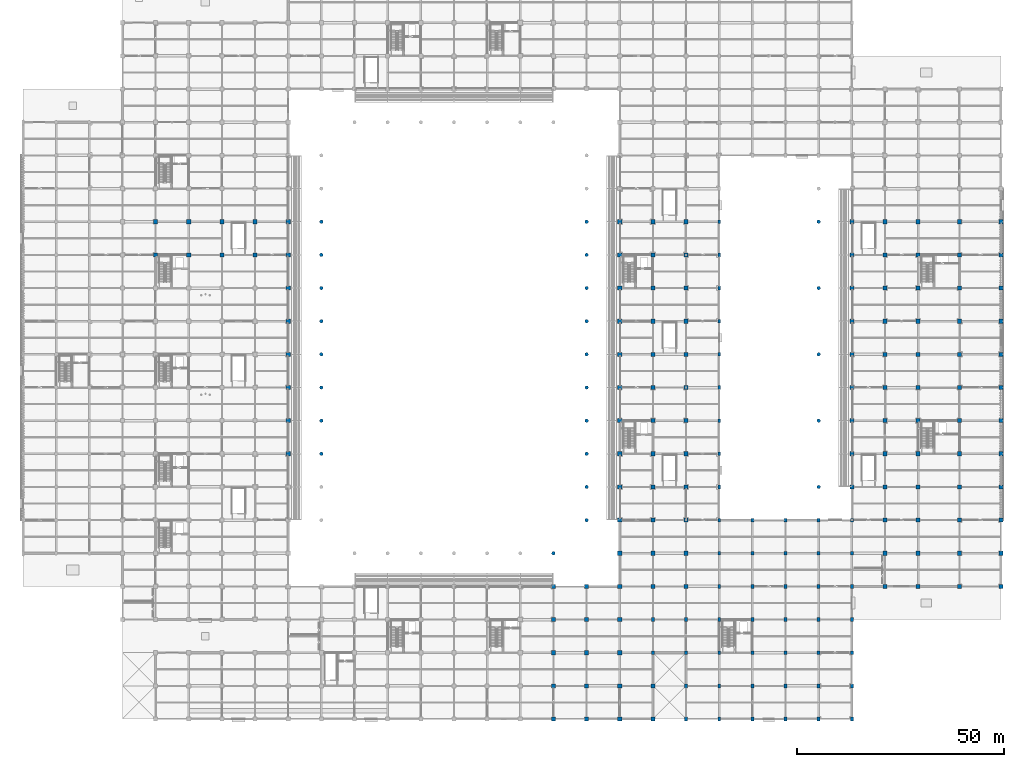
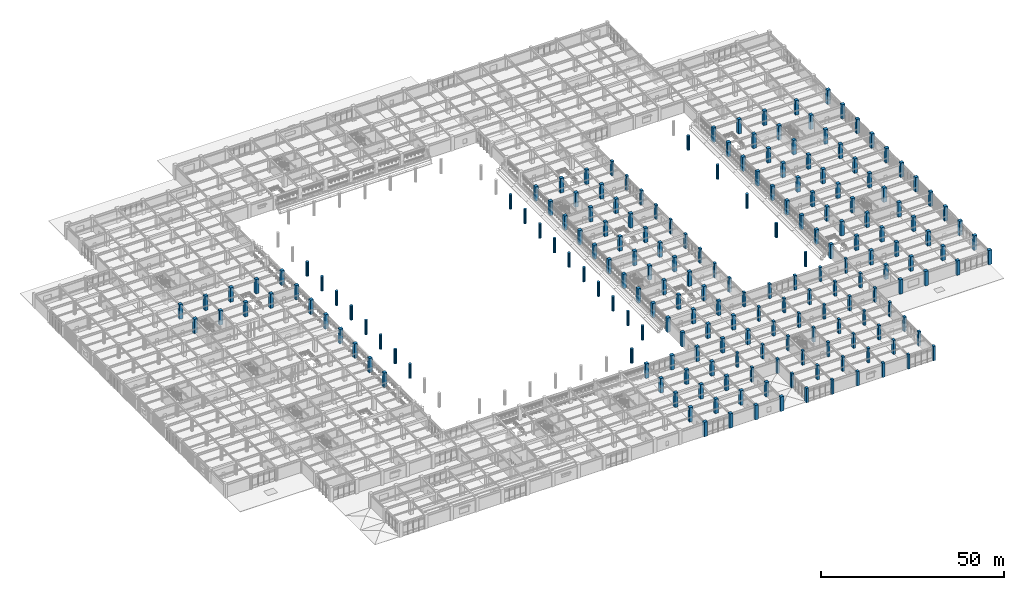
# One storey, part 5 of 117: 199 columns.
"""IFC4 building model written with IfcOpenShell, lengths in metres."""

from ifc_helpers import new_model, si_unit, direction, frame, origin, origin_2d, place, context, subcontext, project, spatial, rectangle, circle, extrude, material, material_profile, profile_set, type_object, element, save


model = new_model("IFC4")

# Units and contexts
model_context = context("Model", 3, precision=1e-05, world=origin(), true_north=direction((0.0, 1.0)))
body_context = subcontext(model_context, "Body", "Model", "MODEL_VIEW")
ifc_project = project(units=[si_unit("LENGTHUNIT", "METRE"), si_unit("AREAUNIT", "SQUARE_METRE"), si_unit("VOLUMEUNIT", "CUBIC_METRE"), si_unit("PLANEANGLEUNIT", "RADIAN"), si_unit("MASSUNIT", "GRAM", prefix="KILO")], contexts=[model_context])

# Site, building, storey
site_placement = place(None, origin())
site = spatial("IfcSite", under=ifc_project, at=site_placement, CompositionType="ELEMENT")
building_placement = place(site_placement, origin())
building = spatial("IfcBuilding", under=site, at=building_placement, Name="Haebicheon Civic Stadium", CompositionType="ELEMENT")
storey_placement = place(building_placement, frame((0.0, 0.0, 4.800048828125)))
storey = spatial("IfcBuildingStorey", under=building, at=storey_placement, Name="L02", CompositionType="ELEMENT", Elevation=4.800048828125)

# Columns
ifc_material_1 = material(Name="Concrete C40/50", Category="concrete")
ifc_material_profile_1 = material_profile(ifc_material_1, rectangle(XDim=1.0, YDim=1.0, at=origin_2d()), Name="RC-COL-1000x1000")
ifc_profile_set_1 = profile_set([ifc_material_profile_1], Name="Concrete C40/50")
column_type_1 = type_object("IfcColumnType", Name="COL-RC-1000", PredefinedType="COLUMN", material=ifc_profile_set_1)
for number, where, z_axis, x_axis, name in (
    (1, (32.0, 112.0, 0.0), (0.0, 0.0, 1.0), (1.0, 0.0, 0.0), "L02 column 5/Q"),
    (2, (32.0, 120.0, 0.0), (0.0, 0.0, 1.0), (1.0, 0.0, 0.0), "L02 column 5/R"),
    (3, (40.0, 112.0, 0.0), (0.0, 0.0, 1.0), (1.0, 0.0, 0.0), "L02 column 6/Q"),
    (4, (40.0, 120.0, 0.0), (0.0, 0.0, 1.0), (1.0, 0.0, 0.0), "L02 column 6/R"),
    (5, (48.0, 112.0, 0.0), (0.0, 0.0, 1.0), (1.0, 0.0, 0.0), "L02 column 7/Q"),
    (6, (48.0, 120.0, 0.0), (0.0, 0.0, 1.0), (1.0, 0.0, 0.0), "L02 column 7/R"),
    (7, (56.0, 112.0, 0.0), (0.0, 0.0, 1.0), (1.0, 0.0, 0.0), "L02 column 8/Q"),
    (8, (56.0, 120.0, 0.0), (0.0, 0.0, 1.0), (1.0, 0.0, 0.0), "L02 column 8/R"),
    (9, (64.0, 64.0, 0.0), (0.0, 0.0, 1.0), (1.0, 0.0, 0.0), "L02 column 9/J"),
    (10, (64.0, 72.0, 0.0), (0.0, 0.0, 1.0), (1.0, 0.0, 0.0), "L02 column 9/K"),
    (11, (64.0, 80.0, 0.0), (0.0, 0.0, 1.0), (1.0, 0.0, 0.0), "L02 column 9/L"),
    (12, (64.0, 88.0, 0.0), (0.0, 0.0, 1.0), (1.0, 0.0, 0.0), "L02 column 9/M"),
    (13, (64.0, 96.0, 0.0), (0.0, 0.0, 1.0), (1.0, 0.0, 0.0), "L02 column 9/N"),
    (14, (64.0, 104.0, 0.0), (0.0, 0.0, 1.0), (1.0, 0.0, 0.0), "L02 column 9/P"),
    (15, (64.0, 112.0, 0.0), (0.0, 0.0, 1.0), (1.0, 0.0, 0.0), "L02 column 9/Q"),
    (16, (64.0, 120.0, 0.0), (0.0, 0.0, 1.0), (1.0, 0.0, 0.0), "L02 column 9/R"),
    (17, (128.0, 0.0, 0.0), (0.0, 0.0, 1.0), (1.0, 0.0, 0.0), "L02 column 17/A"),
    (18, (128.0, 8.0, 0.0), (0.0, 0.0, 1.0), (1.0, 0.0, 0.0), "L02 column 17/B"),
    (19, (128.0, 16.0, 0.0), (0.0, 0.0, 1.0), (1.0, 0.0, 0.0), "L02 column 17/C"),
    (20, (128.0, 24.0, 0.0), (0.0, 0.0, 1.0), (1.0, 0.0, 0.0), "L02 column 17/D"),
    (21, (128.0, 32.0, 0.0), (0.0, 0.0, 1.0), (1.0, 0.0, 0.0), "L02 column 17/E"),
    (22, (136.0, 0.0, 0.0), (0.0, 0.0, 1.0), (1.0, 0.0, 0.0), "L02 column 18/A"),
    (23, (136.0, 8.0, 0.0), (0.0, 0.0, 1.0), (1.0, 0.0, 0.0), "L02 column 18/B"),
    (24, (136.0, 16.0, 0.0), (0.0, 0.0, 1.0), (1.0, 0.0, 0.0), "L02 column 18/C"),
    (25, (136.0, 24.0, 0.0), (0.0, 0.0, 1.0), (1.0, 0.0, 0.0), "L02 column 18/D"),
    (26, (136.0, 32.0, 0.0), (0.0, 0.0, 1.0), (1.0, 0.0, 0.0), "L02 column 18/E"),
    (27, (144.0, 0.0, 0.0), (0.0, 0.0, 1.0), (1.0, 0.0, 0.0), "L02 column 19/A"),
    (28, (144.0, 8.0, 0.0), (0.0, 0.0, 1.0), (1.0, 0.0, 0.0), "L02 column 19/B"),
    (29, (144.0, 16.0, 0.0), (0.0, 0.0, 1.0), (1.0, 0.0, 0.0), "L02 column 19/C"),
    (30, (144.0, 24.0, 0.0), (0.0, 0.0, 1.0), (1.0, 0.0, 0.0), "L02 column 19/D"),
    (31, (144.0, 32.0, 0.0), (0.0, 0.0, 1.0), (1.0, 0.0, 0.0), "L02 column 19/E"),
    (32, (144.0, 40.0, 0.0), (0.0, 0.0, 1.0), (1.0, 0.0, 0.0), "L02 column 19/F"),
    (33, (144.0, 48.0, 0.0), (0.0, 0.0, 1.0), (1.0, 0.0, 0.0), "L02 column 19/G"),
    (34, (144.0, 56.0, 0.0), (0.0, 0.0, 1.0), (1.0, 0.0, 0.0), "L02 column 19/H"),
    (35, (144.0, 64.0, 0.0), (0.0, 0.0, 1.0), (1.0, 0.0, 0.0), "L02 column 19/J"),
    (36, (144.0, 72.0, 0.0), (0.0, 0.0, 1.0), (1.0, 0.0, 0.0), "L02 column 19/K"),
    (37, (144.0, 80.0, 0.0), (0.0, 0.0, 1.0), (1.0, 0.0, 0.0), "L02 column 19/L"),
    (38, (144.0, 88.0, 0.0), (0.0, 0.0, 1.0), (1.0, 0.0, 0.0), "L02 column 19/M"),
    (39, (144.0, 96.0, 0.0), (0.0, 0.0, 1.0), (1.0, 0.0, 0.0), "L02 column 19/N"),
    (40, (144.0, 104.0, 0.0), (0.0, 0.0, 1.0), (1.0, 0.0, 0.0), "L02 column 19/P"),
    (41, (144.0, 112.0, 0.0), (0.0, 0.0, 1.0), (1.0, 0.0, 0.0), "L02 column 19/Q"),
    (42, (144.0, 120.0, 0.0), (0.0, 0.0, 1.0), (1.0, 0.0, 0.0), "L02 column 19/R"),
    (43, (152.0, 0.0, 0.0), (0.0, 0.0, 1.0), (1.0, 0.0, 0.0), "L02 column 20/A"),
    (44, (152.0, 8.0, 0.0), (0.0, 0.0, 1.0), (1.0, 0.0, 0.0), "L02 column 20/B"),
    (45, (152.0, 32.0, 0.0), (0.0, 0.0, 1.0), (1.0, 0.0, 0.0), "L02 column 20/E"),
    (46, (152.0, 40.0, 0.0), (0.0, 0.0, 1.0), (1.0, 0.0, 0.0), "L02 column 20/F"),
    (47, (152.0, 48.0, 0.0), (0.0, 0.0, 1.0), (1.0, 0.0, 0.0), "L02 column 20/G"),
    (48, (152.0, 56.0, 0.0), (0.0, 0.0, 1.0), (1.0, 0.0, 0.0), "L02 column 20/H"),
    (49, (152.0, 64.0, 0.0), (0.0, 0.0, 1.0), (1.0, 0.0, 0.0), "L02 column 20/J"),
    (50, (152.0, 72.0, 0.0), (0.0, 0.0, 1.0), (1.0, 0.0, 0.0), "L02 column 20/K"),
    (51, (152.0, 80.0, 0.0), (0.0, 0.0, 1.0), (1.0, 0.0, 0.0), "L02 column 20/L"),
    (52, (152.0, 88.0, 0.0), (0.0, 0.0, 1.0), (1.0, 0.0, 0.0), "L02 column 20/M"),
    (53, (152.0, 96.0, 0.0), (0.0, 0.0, 1.0), (1.0, 0.0, 0.0), "L02 column 20/N"),
    (54, (152.0, 104.0, 0.0), (0.0, 0.0, 1.0), (1.0, 0.0, 0.0), "L02 column 20/P"),
    (55, (152.0, 112.0, 0.0), (0.0, 0.0, 1.0), (1.0, 0.0, 0.0), "L02 column 20/Q"),
    (56, (152.0, 120.0, 0.0), (0.0, 0.0, 1.0), (1.0, 0.0, 0.0), "L02 column 20/R"),
    (57, (160.0, 32.0, 0.0), (0.0, 0.0, 1.0), (1.0, 0.0, 0.0), "L02 column 21/E"),
    (58, (160.0, 40.0, 0.0), (0.0, 0.0, 1.0), (1.0, 0.0, 0.0), "L02 column 21/F"),
    (59, (160.0, 48.0, 0.0), (0.0, 0.0, 1.0), (1.0, 0.0, 0.0), "L02 column 21/G"),
    (60, (160.0, 56.0, 0.0), (0.0, 0.0, 1.0), (1.0, 0.0, 0.0), "L02 column 21/H"),
    (61, (160.0, 64.0, 0.0), (0.0, 0.0, 1.0), (1.0, 0.0, 0.0), "L02 column 21/J"),
    (62, (160.0, 72.0, 0.0), (0.0, 0.0, 1.0), (1.0, 0.0, 0.0), "L02 column 21/K"),
    (63, (160.0, 80.0, 0.0), (0.0, 0.0, 1.0), (1.0, 0.0, 0.0), "L02 column 21/L"),
    (64, (160.0, 88.0, 0.0), (0.0, 0.0, 1.0), (1.0, 0.0, 0.0), "L02 column 21/M"),
    (65, (160.0, 96.0, 0.0), (0.0, 0.0, 1.0), (1.0, 0.0, 0.0), "L02 column 21/N"),
    (66, (160.0, 104.0, 0.0), (0.0, 0.0, 1.0), (1.0, 0.0, 0.0), "L02 column 21/P"),
    (67, (160.0, 112.0, 0.0), (0.0, 0.0, 1.0), (1.0, 0.0, 0.0), "L02 column 21/Q"),
    (68, (160.0, 120.0, 0.0), (0.0, 0.0, 1.0), (1.0, 0.0, 0.0), "L02 column 21/R"),
    (69, (200.0, 56.0, 0.0), (0.0, 0.0, 1.0), (1.0, 0.0, 0.0), "L02 column 26/H"),
    (70, (200.0, 64.0, 0.0), (0.0, 0.0, 1.0), (1.0, 0.0, 0.0), "L02 column 26/J"),
    (71, (200.0, 72.0, 0.0), (0.0, 0.0, 1.0), (1.0, 0.0, 0.0), "L02 column 26/K"),
    (72, (200.0, 80.0, 0.0), (0.0, 0.0, 1.0), (1.0, 0.0, 0.0), "L02 column 26/L"),
    (73, (200.0, 88.0, 0.0), (0.0, 0.0, 1.0), (1.0, 0.0, 0.0), "L02 column 26/M"),
    (74, (200.0, 96.0, 0.0), (0.0, 0.0, 1.0), (1.0, 0.0, 0.0), "L02 column 26/N"),
    (75, (200.0, 104.0, 0.0), (0.0, 0.0, 1.0), (1.0, 0.0, 0.0), "L02 column 26/P"),
    (76, (200.0, 112.0, 0.0), (0.0, 0.0, 1.0), (1.0, 0.0, 0.0), "L02 column 26/Q"),
    (77, (200.0, 120.0, 0.0), (0.0, 0.0, 1.0), (1.0, 0.0, 0.0), "L02 column 26/R"),
    (78, (208.0, 32.0, 0.0), (0.0, 0.0, 1.0), (1.0, 0.0, 0.0), "L02 column 27/E"),
    (79, (208.0, 40.0, 0.0), (0.0, 0.0, 1.0), (1.0, 0.0, 0.0), "L02 column 27/F"),
    (80, (208.0, 48.0, 0.0), (0.0, 0.0, 1.0), (1.0, 0.0, 0.0), "L02 column 27/G"),
    (81, (208.0, 56.0, 0.0), (0.0, 0.0, 1.0), (1.0, 0.0, 0.0), "L02 column 27/H"),
    (82, (208.0, 64.0, 0.0), (0.0, 0.0, 1.0), (1.0, 0.0, 0.0), "L02 column 27/J"),
    (83, (208.0, 72.0, 0.0), (0.0, 0.0, 1.0), (1.0, 0.0, 0.0), "L02 column 27/K"),
    (84, (208.0, 80.0, 0.0), (0.0, 0.0, 1.0), (1.0, 0.0, 0.0), "L02 column 27/L"),
    (85, (208.0, 88.0, 0.0), (0.0, 0.0, 1.0), (1.0, 0.0, 0.0), "L02 column 27/M"),
    (86, (208.0, 96.0, 0.0), (0.0, 0.0, 1.0), (1.0, 0.0, 0.0), "L02 column 27/N"),
    (87, (208.0, 104.0, 0.0), (0.0, 0.0, 1.0), (1.0, 0.0, 0.0), "L02 column 27/P"),
    (88, (208.0, 112.0, 0.0), (0.0, 0.0, 1.0), (1.0, 0.0, 0.0), "L02 column 27/Q"),
    (89, (208.0, 120.0, 0.0), (0.0, 0.0, 1.0), (1.0, 0.0, 0.0), "L02 column 27/R"),
    (90, (216.0, 32.0, 0.0), (0.0, 0.0, 1.0), (1.0, 0.0, 0.0), "L02 column 28/E"),
    (91, (216.0, 40.0, 0.0), (0.0, 0.0, 1.0), (1.0, 0.0, 0.0), "L02 column 28/F"),
    (92, (216.0, 48.0, 0.0), (0.0, 0.0, 1.0), (1.0, 0.0, 0.0), "L02 column 28/G"),
    (93, (216.0, 56.0, 0.0), (0.0, 0.0, 1.0), (1.0, 0.0, 0.0), "L02 column 28/H"),
    (94, (216.0, 64.0, 0.0), (0.0, 0.0, 1.0), (1.0, 0.0, 0.0), "L02 column 28/J"),
    (95, (216.0, 72.0, 0.0), (0.0, 0.0, 1.0), (1.0, 0.0, 0.0), "L02 column 28/K"),
    (96, (216.0, 80.0, 0.0), (0.0, 0.0, 1.0), (1.0, 0.0, 0.0), "L02 column 28/L"),
    (97, (216.0, 88.0, 0.0), (0.0, 0.0, 1.0), (1.0, 0.0, 0.0), "L02 column 28/M"),
    (98, (216.0, 96.0, 0.0), (0.0, 0.0, 1.0), (1.0, 0.0, 0.0), "L02 column 28/N"),
    (99, (216.0, 104.0, 0.0), (0.0, 0.0, 1.0), (1.0, 0.0, 0.0), "L02 column 28/P"),
    (100, (216.0, 112.0, 0.0), (0.0, 0.0, 1.0), (1.0, 0.0, 0.0), "L02 column 28/Q"),
    (101, (216.0, 120.0, 0.0), (0.0, 0.0, 1.0), (1.0, 0.0, 0.0), "L02 column 28/R"),
    (102, (226.0, 32.0, 0.0), (0.0, 0.0, 1.0), (1.0, 0.0, 0.0), "L02 column 29/E"),
    (103, (226.0, 40.0, 0.0), (0.0, 0.0, 1.0), (1.0, 0.0, 0.0), "L02 column 29/F"),
    (104, (226.0, 48.0, 0.0), (0.0, 0.0, 1.0), (1.0, 0.0, 0.0), "L02 column 29/G"),
    (105, (226.0, 56.0, 0.0), (0.0, 0.0, 1.0), (1.0, 0.0, 0.0), "L02 column 29/H"),
    (106, (226.0, 64.0, 0.0), (0.0, 0.0, 1.0), (1.0, 0.0, 0.0), "L02 column 29/J"),
    (107, (226.0, 72.0, 0.0), (0.0, 0.0, 1.0), (1.0, 0.0, 0.0), "L02 column 29/K"),
    (108, (226.0, 80.0, 0.0), (0.0, 0.0, 1.0), (1.0, 0.0, 0.0), "L02 column 29/L"),
    (109, (226.0, 88.0, 0.0), (0.0, 0.0, 1.0), (1.0, 0.0, 0.0), "L02 column 29/M"),
    (110, (226.0, 96.0, 0.0), (0.0, 0.0, 1.0), (1.0, 0.0, 0.0), "L02 column 29/N"),
    (111, (226.0, 104.0, 0.0), (0.0, 0.0, 1.0), (1.0, 0.0, 0.0), "L02 column 29/P"),
    (112, (226.0, 112.0, 0.0), (0.0, 0.0, 1.0), (1.0, 0.0, 0.0), "L02 column 29/Q"),
    (113, (226.0, 120.0, 0.0), (0.0, 0.0, 1.0), (1.0, 0.0, 0.0), "L02 column 29/R"),
    (114, (236.0, 32.0, 0.0), (0.0, 0.0, 1.0), (1.0, 0.0, 0.0), "L02 column 30/E"),
    (115, (236.0, 40.0, 0.0), (0.0, 0.0, 1.0), (1.0, 0.0, 0.0), "L02 column 30/F"),
    (116, (236.0, 48.0, 0.0), (0.0, 0.0, 1.0), (1.0, 0.0, 0.0), "L02 column 30/G"),
    (117, (236.0, 56.0, 0.0), (0.0, 0.0, 1.0), (1.0, 0.0, 0.0), "L02 column 30/H"),
    (118, (236.0, 64.0, 0.0), (0.0, 0.0, 1.0), (1.0, 0.0, 0.0), "L02 column 30/J"),
    (119, (236.0, 72.0, 0.0), (0.0, 0.0, 1.0), (1.0, 0.0, 0.0), "L02 column 30/K"),
    (120, (236.0, 80.0, 0.0), (0.0, 0.0, 1.0), (1.0, 0.0, 0.0), "L02 column 30/L"),
    (121, (236.0, 88.0, 0.0), (0.0, 0.0, 1.0), (1.0, 0.0, 0.0), "L02 column 30/M"),
    (122, (236.0, 96.0, 0.0), (0.0, 0.0, 1.0), (1.0, 0.0, 0.0), "L02 column 30/N"),
    (123, (236.0, 104.0, 0.0), (0.0, 0.0, 1.0), (1.0, 0.0, 0.0), "L02 column 30/P"),
    (124, (236.0, 112.0, 0.0), (0.0, 0.0, 1.0), (1.0, 0.0, 0.0), "L02 column 30/Q"),
    (125, (236.0, 120.0, 0.0), (0.0, 0.0, 1.0), (1.0, 0.0, 0.0), "L02 column 30/R"),
):
    element("IfcColumn", number, at=place(storey_placement, frame(where, z_axis=z_axis, x_axis=x_axis)), inside=storey, type_object=column_type_1, material=ifc_profile_set_1, Name=name, PredefinedType="COLUMN", context=body_context, shape_type="SweptSolid", body=[
        extrude(rectangle(XDim=1.0, YDim=1.0, at=origin_2d()), origin(), (0.0, 0.0, 1.0), 4.800048828125),
    ])
ifc_material_2 = material(Name="Concrete C40/50", Category="concrete")
ifc_material_profile_2 = material_profile(ifc_material_2, rectangle(XDim=0.699951171875, YDim=0.89990234375, at=origin_2d()), Name="RC-COL-900x700")
ifc_profile_set_2 = profile_set([ifc_material_profile_2], Name="Concrete C40/50")
column_type_2 = type_object("IfcColumnType", Name="COL-RC-900x700", PredefinedType="COLUMN", material=ifc_profile_set_2)
for number, where, z_axis, x_axis, name in (
    (126, (152.0, 16.0, 0.0), (0.0, 0.0, 1.0), (1.0, 0.0, 0.0), "L02 column 20/C"),
    (127, (152.0, 24.0, 0.0), (0.0, 0.0, 1.0), (1.0, 0.0, 0.0), "L02 column 20/D"),
    (128, (160.0, 0.0, 0.0), (0.0, 0.0, 1.0), (1.0, 0.0, 0.0), "L02 column 21/A"),
    (129, (160.0, 8.0, 0.0), (0.0, 0.0, 1.0), (1.0, 0.0, 0.0), "L02 column 21/B"),
    (130, (160.0, 16.0, 0.0), (0.0, 0.0, 1.0), (1.0, 0.0, 0.0), "L02 column 21/C"),
    (131, (160.0, 24.0, 0.0), (0.0, 0.0, 1.0), (1.0, 0.0, 0.0), "L02 column 21/D"),
    (132, (168.0, 0.0, 0.0), (0.0, 0.0, 1.0), (1.0, 0.0, 0.0), "L02 column 22/A"),
    (133, (168.0, 8.0, 0.0), (0.0, 0.0, 1.0), (1.0, 0.0, 0.0), "L02 column 22/B"),
    (134, (168.0, 16.0, 0.0), (0.0, 0.0, 1.0), (1.0, 0.0, 0.0), "L02 column 22/C"),
    (135, (168.0, 24.0, 0.0), (0.0, 0.0, 1.0), (1.0, 0.0, 0.0), "L02 column 22/D"),
    (136, (168.0, 32.0, 0.0), (0.0, 0.0, 1.0), (1.0, 0.0, 0.0), "L02 column 22/E"),
    (137, (168.0, 40.0, 0.0), (0.0, 0.0, 1.0), (1.0, 0.0, 0.0), "L02 column 22/F"),
    (138, (168.0, 48.0, 0.0), (0.0, 0.0, 1.0), (1.0, 0.0, 0.0), "L02 column 22/G"),
    (139, (168.0, 56.0, 0.0), (0.0, 0.0, 1.0), (1.0, 0.0, 0.0), "L02 column 22/H"),
    (140, (168.0, 64.0, 0.0), (0.0, 0.0, 1.0), (1.0, 0.0, 0.0), "L02 column 22/J"),
    (141, (168.0, 72.0, 0.0), (0.0, 0.0, 1.0), (1.0, 0.0, 0.0), "L02 column 22/K"),
    (142, (168.0, 80.0, 0.0), (0.0, 0.0, 1.0), (1.0, 0.0, 0.0), "L02 column 22/L"),
    (143, (168.0, 88.0, 0.0), (0.0, 0.0, 1.0), (1.0, 0.0, 0.0), "L02 column 22/M"),
    (144, (168.0, 96.0, 0.0), (0.0, 0.0, 1.0), (1.0, 0.0, 0.0), "L02 column 22/N"),
    (145, (168.0, 104.0, 0.0), (0.0, 0.0, 1.0), (1.0, 0.0, 0.0), "L02 column 22/P"),
    (146, (168.0, 112.0, 0.0), (0.0, 0.0, 1.0), (1.0, 0.0, 0.0), "L02 column 22/Q"),
    (147, (168.0, 120.0, 0.0), (0.0, 0.0, 1.0), (1.0, 0.0, 0.0), "L02 column 22/R"),
    (148, (176.0, 0.0, 0.0), (0.0, 0.0, 1.0), (1.0, 0.0, 0.0), "L02 column 23/A"),
    (149, (176.0, 8.0, 0.0), (0.0, 0.0, 1.0), (1.0, 0.0, 0.0), "L02 column 23/B"),
    (150, (176.0, 16.0, 0.0), (0.0, 0.0, 1.0), (1.0, 0.0, 0.0), "L02 column 23/C"),
    (151, (176.0, 24.0, 0.0), (0.0, 0.0, 1.0), (1.0, 0.0, 0.0), "L02 column 23/D"),
    (152, (176.0, 32.0, 0.0), (0.0, 0.0, 1.0), (1.0, 0.0, 0.0), "L02 column 23/E"),
    (153, (176.0, 40.0, 0.0), (0.0, 0.0, 1.0), (1.0, 0.0, 0.0), "L02 column 23/F"),
    (154, (176.0, 48.0, 0.0), (0.0, 0.0, 1.0), (1.0, 0.0, 0.0), "L02 column 23/G"),
    (155, (184.0, 0.0, 0.0), (0.0, 0.0, 1.0), (1.0, 0.0, 0.0), "L02 column 24/A"),
    (156, (184.0, 8.0, 0.0), (0.0, 0.0, 1.0), (1.0, 0.0, 0.0), "L02 column 24/B"),
    (157, (184.0, 16.0, 0.0), (0.0, 0.0, 1.0), (1.0, 0.0, 0.0), "L02 column 24/C"),
    (158, (184.0, 24.0, 0.0), (0.0, 0.0, 1.0), (1.0, 0.0, 0.0), "L02 column 24/D"),
    (159, (184.0, 32.0, 0.0), (0.0, 0.0, 1.0), (1.0, 0.0, 0.0), "L02 column 24/E"),
    (160, (184.0, 40.0, 0.0), (0.0, 0.0, 1.0), (1.0, 0.0, 0.0), "L02 column 24/F"),
    (161, (184.0, 48.0, 0.0), (0.0, 0.0, 1.0), (1.0, 0.0, 0.0), "L02 column 24/G"),
    (162, (192.0, 0.0, 0.0), (0.0, 0.0, 1.0), (1.0, 0.0, 0.0), "L02 column 25/A"),
    (163, (192.0, 8.0, 0.0), (0.0, 0.0, 1.0), (1.0, 0.0, 0.0), "L02 column 25/B"),
    (164, (192.0, 16.0, 0.0), (0.0, 0.0, 1.0), (1.0, 0.0, 0.0), "L02 column 25/C"),
    (165, (192.0, 24.0, 0.0), (0.0, 0.0, 1.0), (1.0, 0.0, 0.0), "L02 column 25/D"),
    (166, (192.0, 32.0, 0.0), (0.0, 0.0, 1.0), (1.0, 0.0, 0.0), "L02 column 25/E"),
    (167, (192.0, 40.0, 0.0), (0.0, 0.0, 1.0), (1.0, 0.0, 0.0), "L02 column 25/F"),
    (168, (192.0, 48.0, 0.0), (0.0, 0.0, 1.0), (1.0, 0.0, 0.0), "L02 column 25/G"),
    (169, (200.0, 0.0, 0.0), (0.0, 0.0, 1.0), (1.0, 0.0, 0.0), "L02 column 26/A"),
    (170, (200.0, 8.0, 0.0), (0.0, 0.0, 1.0), (1.0, 0.0, 0.0), "L02 column 26/B"),
    (171, (200.0, 16.0, 0.0), (0.0, 0.0, 1.0), (1.0, 0.0, 0.0), "L02 column 26/C"),
    (172, (200.0, 24.0, 0.0), (0.0, 0.0, 1.0), (1.0, 0.0, 0.0), "L02 column 26/D"),
    (173, (200.0, 32.0, 0.0), (0.0, 0.0, 1.0), (1.0, 0.0, 0.0), "L02 column 26/E"),
    (174, (200.0, 40.0, 0.0), (0.0, 0.0, 1.0), (1.0, 0.0, 0.0), "L02 column 26/F"),
    (175, (200.0, 48.0, 0.0), (0.0, 0.0, 1.0), (1.0, 0.0, 0.0), "L02 column 26/G"),
):
    element("IfcColumn", number, at=place(storey_placement, frame(where, z_axis=z_axis, x_axis=x_axis)), inside=storey, type_object=column_type_2, material=ifc_profile_set_2, Name=name, PredefinedType="COLUMN", context=body_context, shape_type="SweptSolid", body=[
        extrude(rectangle(XDim=0.699951171875, YDim=0.89990234375, at=origin_2d()), origin(), (0.0, 0.0, 1.0), 4.800048828125),
    ])
ifc_material_3 = material(Name="Concrete C40/50", Category="concrete")
ifc_material_profile_3 = material_profile(ifc_material_3, circle(Radius=0.425048828125, at=origin_2d()), Name="RC-COL-D850")
ifc_profile_set_3 = profile_set([ifc_material_profile_3], Name="Concrete C40/50")
column_type_3 = type_object("IfcColumnType", Name="COL-RC-D850", PredefinedType="COLUMN", material=ifc_profile_set_3)
for number, where, z_axis, x_axis, name in (
    (176, (72.0, 64.0, 0.0), (0.0, 0.0, 1.0), (1.0, 0.0, 0.0), "Bowl/canopy support column 72/64 (L02)"),
    (177, (72.0, 72.0, 0.0), (0.0, 0.0, 1.0), (1.0, 0.0, 0.0), "Bowl/canopy support column 72/72 (L02)"),
    (178, (72.0, 80.0, 0.0), (0.0, 0.0, 1.0), (1.0, 0.0, 0.0), "Bowl/canopy support column 72/80 (L02)"),
    (179, (72.0, 88.0, 0.0), (0.0, 0.0, 1.0), (1.0, 0.0, 0.0), "Bowl/canopy support column 72/88 (L02)"),
    (180, (72.0, 96.0, 0.0), (0.0, 0.0, 1.0), (1.0, 0.0, 0.0), "Bowl/canopy support column 72/96 (L02)"),
    (181, (72.0, 104.0, 0.0), (0.0, 0.0, 1.0), (1.0, 0.0, 0.0), "Bowl/canopy support column 72/104 (L02)"),
    (182, (72.0, 112.0, 0.0), (0.0, 0.0, 1.0), (1.0, 0.0, 0.0), "Bowl/canopy support column 72/112 (L02)"),
    (183, (72.0, 120.0, 0.0), (0.0, 0.0, 1.0), (1.0, 0.0, 0.0), "Bowl/canopy support column 72/120 (L02)"),
    (184, (136.0, 48.0, 0.0), (0.0, 0.0, 1.0), (1.0, 0.0, 0.0), "Bowl/canopy support column 136/48 (L02)"),
    (185, (136.0, 56.0, 0.0), (0.0, 0.0, 1.0), (1.0, 0.0, 0.0), "Bowl/canopy support column 136/56 (L02)"),
    (186, (136.0, 64.0, 0.0), (0.0, 0.0, 1.0), (1.0, 0.0, 0.0), "Bowl/canopy support column 136/64 (L02)"),
    (187, (136.0, 72.0, 0.0), (0.0, 0.0, 1.0), (1.0, 0.0, 0.0), "Bowl/canopy support column 136/72 (L02)"),
    (188, (136.0, 80.0, 0.0), (0.0, 0.0, 1.0), (1.0, 0.0, 0.0), "Bowl/canopy support column 136/80 (L02)"),
    (189, (136.0, 88.0, 0.0), (0.0, 0.0, 1.0), (1.0, 0.0, 0.0), "Bowl/canopy support column 136/88 (L02)"),
    (190, (136.0, 96.0, 0.0), (0.0, 0.0, 1.0), (1.0, 0.0, 0.0), "Bowl/canopy support column 136/96 (L02)"),
    (191, (136.0, 104.0, 0.0), (0.0, 0.0, 1.0), (1.0, 0.0, 0.0), "Bowl/canopy support column 136/104 (L02)"),
    (192, (136.0, 112.0, 0.0), (0.0, 0.0, 1.0), (1.0, 0.0, 0.0), "Bowl/canopy support column 136/112 (L02)"),
    (193, (136.0, 120.0, 0.0), (0.0, 0.0, 1.0), (1.0, 0.0, 0.0), "Bowl/canopy support column 136/120 (L02)"),
    (194, (128.0, 40.0, 0.0), (0.0, 0.0, 1.0), (1.0, 0.0, 0.0), "Bowl/canopy support column 128/40 (L02)"),
    (195, (192.0, 56.0, 0.0), (0.0, 0.0, 1.0), (1.0, 0.0, 0.0), "Bowl/canopy support column 192/56 (L02)"),
    (196, (192.0, 72.0, 0.0), (0.0, 0.0, 1.0), (1.0, 0.0, 0.0), "Bowl/canopy support column 192/72 (L02)"),
    (197, (192.0, 88.0, 0.0), (0.0, 0.0, 1.0), (1.0, 0.0, 0.0), "Bowl/canopy support column 192/88 (L02)"),
    (198, (192.0, 104.0, 0.0), (0.0, 0.0, 1.0), (1.0, 0.0, 0.0), "Bowl/canopy support column 192/104 (L02)"),
    (199, (192.0, 120.0, 0.0), (0.0, 0.0, 1.0), (1.0, 0.0, 0.0), "Bowl/canopy support column 192/120 (L02)"),
):
    element("IfcColumn", number, at=place(storey_placement, frame(where, z_axis=z_axis, x_axis=x_axis)), inside=storey, type_object=column_type_3, material=ifc_profile_set_3, Name=name, PredefinedType="COLUMN", context=body_context, shape_type="SweptSolid", body=[
        extrude(circle(Radius=0.425048828125, at=origin_2d()), origin(), (0.0, 0.0, 1.0), 4.800048828125),
    ])

save(model, "model.ifc")
